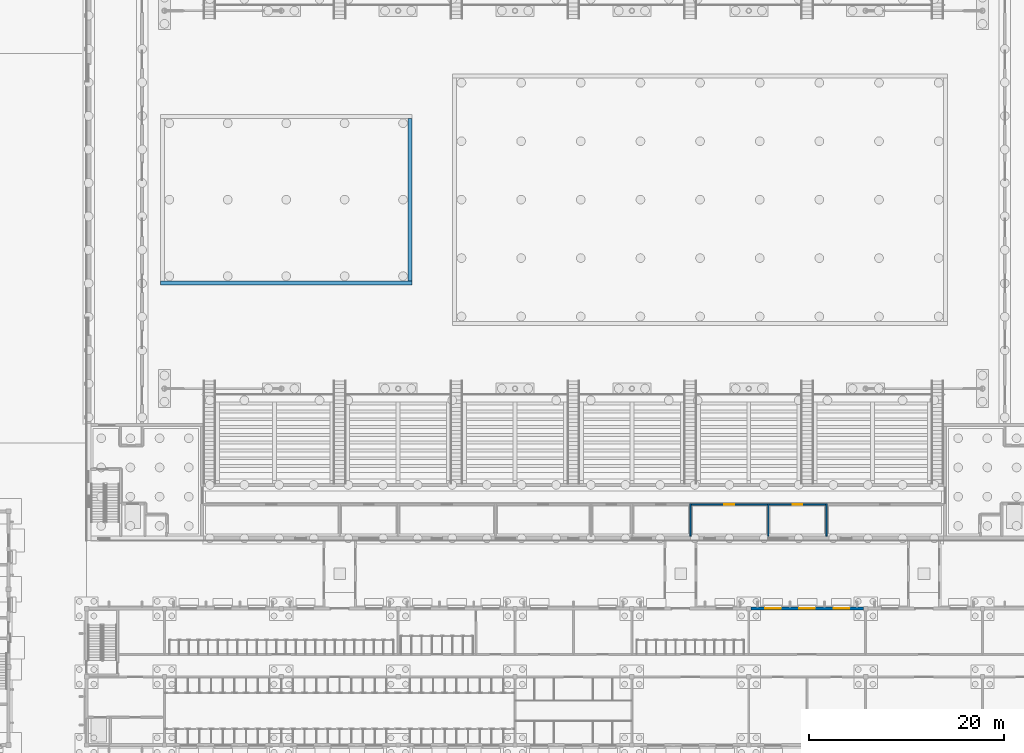
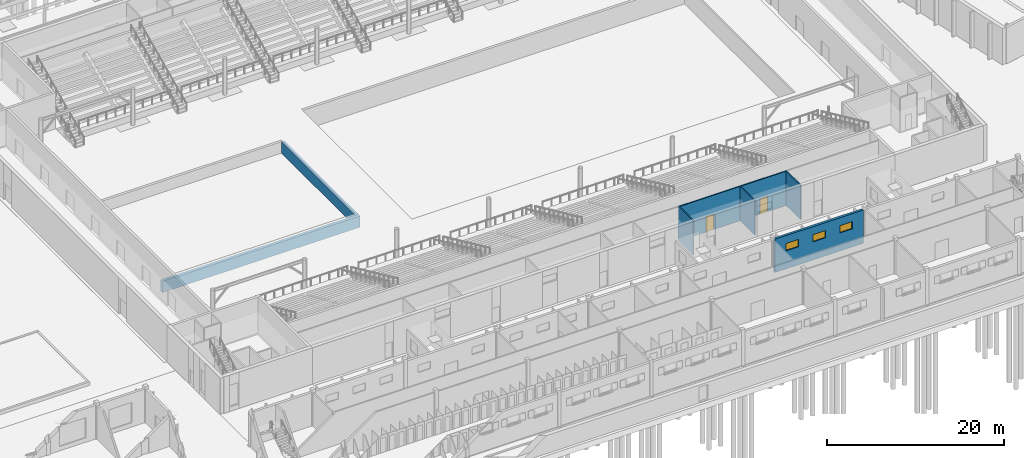
# One storey, part 90 of 157: 8 walls, 3 windows, 2 doors, 5 openings.
"""IFC4 building model written with IfcOpenShell, lengths in metres."""

import ifcopenshell
import ifcopenshell.guid

model = None  # the IFC model being written
_history = None  # IfcOwnerHistory: only IFC2X3 demands one
_inside = {}  # id of a spatial element -> (the spatial element, [elements in it])
_under = {}  # id of a project, library or spatial element -> (it, [spatial elements below it])
_declared = {}  # id of a project -> (the project, [libraries it declares])
_typed = {}  # id of a type object -> (the type object, [elements of that type])
_made_of = {}  # id of a material, layer set ... -> (it, [elements and type objects made of it])


def new_model(schema):
    """Start an empty IFC model of exactly this schema.

    Asked for "IFC4X3", IfcOpenShell would pick the latest addendum, in which some entities
    have other attributes; the version numbers below select the first issue.
    IFC2X3 requires an IfcOwnerHistory on every rooted entity: one is made here for all.
    """
    global model, _history
    if schema == "IFC4X3":
        model = ifcopenshell.file(schema_version=(4, 3, 0, 0))
    else:
        model = ifcopenshell.file(schema=schema)
    _inside.clear()
    _under.clear()
    _declared.clear()
    _typed.clear()
    _made_of.clear()
    _history = None
    if model.schema == "IFC2X3":
        org = make("IfcOrganization", Name="unknown")
        user = make(
            "IfcPersonAndOrganization",
            ThePerson=make("IfcPerson", FamilyName="unknown"),
            TheOrganization=org,
        )
        app = make(
            "IfcApplication",
            ApplicationDeveloper=org,
            Version="unknown",
            ApplicationFullName="unknown",
            ApplicationIdentifier="unknown",
        )
        _history = make(
            "IfcOwnerHistory",
            OwningUser=user,
            OwningApplication=app,
            ChangeAction="ADDED",
            CreationDate=0,
        )
    return model


def make(cls, **values):
    """One entity of the class cls with the attributes given. An attribute that is None is left unset."""
    return model.create_entity(
        cls, **{name: value for name, value in values.items() if value is not None}
    )


def rooted(cls, **values):
    """An entity with a GlobalId (a new one), such as an element, a storey or a relation."""
    return make(cls, GlobalId=ifcopenshell.guid.new(), OwnerHistory=_history, **values)


def si_unit(unit_type, name, prefix=None):
    """IfcSIUnit, for example si_unit("LENGTHUNIT", "METRE", prefix="MILLI")."""
    return make("IfcSIUnit", UnitType=unit_type, Prefix=prefix, Name=name)


def assignment(units):
    """IfcUnitAssignment: the units of a project."""
    return None if units is None else make("IfcUnitAssignment", Units=units)


def point(xyz):
    """IfcCartesianPoint."""
    return None if xyz is None else make("IfcCartesianPoint", Coordinates=xyz)


def direction(xyz):
    """IfcDirection."""
    return None if xyz is None else make("IfcDirection", DirectionRatios=xyz)


def frame(location, z_axis=None, x_axis=None):
    """IfcAxis2Placement3D, a coordinate frame: its origin and axes. An axis left out is left unset."""
    return make(
        "IfcAxis2Placement3D",
        Location=point(location),
        Axis=direction(z_axis),
        RefDirection=direction(x_axis),
    )


def frame_2d(location, x_axis=None):
    """IfcAxis2Placement2D, a coordinate frame in the plane: its origin and x axis."""
    return make(
        "IfcAxis2Placement2D", Location=point(location), RefDirection=direction(x_axis)
    )


def origin():
    """The frame at (0, 0, 0) with its axes left unset."""
    return frame((0.0, 0.0, 0.0))


def place(relative_to, where):
    """IfcLocalPlacement: puts the frame where relative to a parent placement (None: the world)."""
    return make(
        "IfcLocalPlacement", PlacementRelTo=relative_to, RelativePlacement=where
    )


def context(
    kind, dimensions, precision=None, world=None, true_north=None, identifier=None
):
    """IfcGeometricRepresentationContext, for example the 3D "Model" context."""
    return make(
        "IfcGeometricRepresentationContext",
        ContextIdentifier=identifier,
        ContextType=kind,
        CoordinateSpaceDimension=dimensions,
        Precision=precision,
        WorldCoordinateSystem=world,
        TrueNorth=true_north,
    )


def subcontext(parent, identifier, kind, view, scale=None):
    """IfcGeometricRepresentationSubContext, for example "Body" below "Model"."""
    return make(
        "IfcGeometricRepresentationSubContext",
        ContextIdentifier=identifier,
        ContextType=kind,
        ParentContext=parent,
        TargetScale=scale,
        TargetView=view,
    )


def project(units=None, contexts=None):
    """IfcProject with its units and contexts."""
    return rooted(
        "IfcProject",
        Name="project",
        RepresentationContexts=contexts,
        UnitsInContext=assignment(units),
    )


def spatial(cls, under=None, at=None, **own):
    """A site, building, storey or space (cls), placed at a placement, below another one or the project."""
    s = rooted(cls, ObjectPlacement=at, **own)
    if under is not None:
        _under.setdefault(under.id(), (under, []))[1].append(s)
    return s


def profile(cls, at=None, kind="AREA", **sizes):
    """A parametric profile (cls). Its sizes go by their IFC names, for example OverallWidth=200.0."""
    return make(cls, ProfileType=kind, Position=at, **sizes)


def rectangle(**sizes):
    """IfcRectangleProfileDef."""
    return profile("IfcRectangleProfileDef", **sizes)


def extrude(swept, where, along, depth):
    """IfcExtrudedAreaSolid: the profile swept, set in the frame where, extruded along a direction by depth."""
    return make(
        "IfcExtrudedAreaSolid",
        SweptArea=swept,
        Position=where,
        ExtrudedDirection=direction(along),
        Depth=depth,
    )


def shape(context_of_items, identifier, shape_type, items):
    """IfcShapeRepresentation: the items that make up one representation, for example the "Body"."""
    return make(
        "IfcShapeRepresentation",
        ContextOfItems=context_of_items,
        RepresentationIdentifier=identifier,
        RepresentationType=shape_type,
        Items=items,
    )


def material(Name=None, Category=None):
    """IfcMaterial."""
    return make("IfcMaterial", Name=Name, Category=Category)


def layer(
    of_material, thickness, ventilated=None, Name=None, Category=None, Priority=None
):
    """IfcMaterialLayer: one layer of a wall or slab, of a material (None: an air gap)."""
    return make(
        "IfcMaterialLayer",
        Material=of_material,
        LayerThickness=thickness,
        IsVentilated=ventilated,
        Name=Name,
        Category=Category,
        Priority=Priority,
    )


def layer_set(layers, Name=None):
    """IfcMaterialLayerSet."""
    return make("IfcMaterialLayerSet", MaterialLayers=layers, LayerSetName=Name)


def made_of(thing, what):
    """Note that an element or type object is made of a material, layer set ...; save() writes the relation."""
    if what is not None:
        _made_of.setdefault(what.id(), (what, []))[1].append(thing)
    return thing


def type_object(cls, material=None, **own):
    """A type object (cls), such as IfcWallType, which elements share."""
    return made_of(rooted(cls, **own), material)


def element(
    cls,
    number,
    at=None,
    inside=None,
    cuts=None,
    type_object=None,
    material=None,
    context=None,
    identifier="Body",
    shape_type=None,
    held_by="IfcProductDefinitionShape",
    body=None,
    shapes=None,
    **own,
):
    """One element of the class cls, such as IfcWall. Its Tag is "e" and its number.

    at: its placement. inside: the storey or other place that contains it. cuts: it is an
    opening in that element (IfcRelVoidsElement). A single representation is given by context,
    identifier, shape_type and body (its items); several are given by shapes. held_by: the class
    of the entity that holds the representations. save() writes the other relations.
    """
    e = rooted(cls, Tag="e%d" % number, ObjectPlacement=at, **own)
    if body is not None:
        shapes = [shape(context, identifier, shape_type, body)]
    if shapes is not None:
        e.Representation = make(held_by, Representations=shapes)
    if inside is not None:
        _inside.setdefault(inside.id(), (inside, []))[1].append(e)
    if cuts is not None:
        rooted(
            "IfcRelVoidsElement", RelatingBuildingElement=cuts, RelatedOpeningElement=e
        )
    if type_object is not None:
        _typed.setdefault(type_object.id(), (type_object, []))[1].append(e)
    return made_of(e, material)


def fill(opening, filler):
    """IfcRelFillsElement: the door or window that sits in an opening."""
    return rooted(
        "IfcRelFillsElement",
        RelatingOpeningElement=opening,
        RelatedBuildingElement=filler,
    )


def aggregate(whole, parts):
    """IfcRelAggregates: a whole, such as a stair, and the parts it consists of."""
    return rooted("IfcRelAggregates", RelatingObject=whole, RelatedObjects=parts)


def save(model, path):
    """Write the relations noted so far, then the file.

    IfcRelAggregates (storeys below a building ...), IfcRelContainedInSpatialStructure (elements
    in a storey), IfcRelDefinesByType, IfcRelAssociatesMaterial and IfcRelDeclares: one each for
    every whole, place, type object, material and project.
    """
    for whole, parts in _under.values():
        aggregate(whole, parts)
    for where, things in _inside.values():
        rooted(
            "IfcRelContainedInSpatialStructure",
            RelatedElements=things,
            RelatingStructure=where,
        )
    for kind, things in _typed.values():
        rooted("IfcRelDefinesByType", RelatedObjects=things, RelatingType=kind)
    for what, things in _made_of.values():
        rooted("IfcRelAssociatesMaterial", RelatedObjects=things, RelatingMaterial=what)
    for by, libraries in _declared.values():
        rooted("IfcRelDeclares", RelatingContext=by, RelatedDefinitions=libraries)
    model.write(path)


model = new_model("IFC4")

# Units and contexts
model_context = context("Model", 3, precision=1e-05, world=origin(), true_north=direction((0.0, 1.0)))
body_context = subcontext(model_context, "Body", "Model", "MODEL_VIEW")
ifc_project = project(units=[si_unit("LENGTHUNIT", "METRE"), si_unit("AREAUNIT", "SQUARE_METRE"), si_unit("VOLUMEUNIT", "CUBIC_METRE"), si_unit("PLANEANGLEUNIT", "RADIAN"), si_unit("MASSUNIT", "GRAM", prefix="KILO")], contexts=[model_context])

# Site, building, storey
site_placement = place(None, origin())
site = spatial("IfcSite", under=ifc_project, at=site_placement, CompositionType="ELEMENT")
building_placement = place(site_placement, origin())
building = spatial("IfcBuilding", under=site, at=building_placement, Name="Windward Yard Aquatics Centre", CompositionType="ELEMENT")
storey_placement = place(building_placement, origin())
storey = spatial("IfcBuildingStorey", under=building, at=storey_placement, Name="L00", CompositionType="ELEMENT", Elevation=0.0)

# Wall, openings, windows
ifc_material_1 = material(Name="Natural stone cladding", Category="masonry")
ifc_layer_1 = layer(ifc_material_1, 0.04, Name="Cladding")
ifc_material_2 = material(Name="Ventilated air cavity")
ifc_layer_2 = layer(ifc_material_2, 0.04, ventilated=True, Name="Ventilated cavity")
ifc_material_3 = material(Name="Mineral wool insulation")
ifc_layer_3 = layer(ifc_material_3, 0.06, Name="Insulation")
ifc_material_4 = material(Name="Concrete C35/45", Category="concrete")
ifc_layer_4 = layer(ifc_material_4, 0.16, Name="Structure")
ifc_layer_set_1 = layer_set([ifc_layer_1, ifc_layer_2, ifc_layer_3, ifc_layer_4], Name="C stone-faced external wall 300")
wall_type_1 = type_object("IfcWallType", Name="C stone-faced external wall 300", PredefinedType="ELEMENTEDWALL", material=ifc_layer_set_1)
wall_1_placement = place(storey_placement, frame((120.22509765625, 19.0, 0.0), z_axis=(0.0, 0.0, 1.0), x_axis=(1.0, 0.0, 0.0)))
wall_1 = element("IfcWall", 1, at=wall_1_placement, inside=storey, type_object=wall_type_1, Name="C.W.L00.N7", PredefinedType="ELEMENTEDWALL", context=body_context, shape_type="SweptSolid", body=[
    extrude(rectangle(XDim=11.5498046875, YDim=0.300048828125, at=frame_2d((5.77490234375, 0.0))), origin(), (0.0, 0.0, 1.0), 4.60009765625),
])
opening_1_placement = place(wall_1_placement, frame((1.458251953125, 0.0, 2.5)))
opening_1 = element("IfcOpeningElement", 2, at=opening_1_placement, cuts=wall_1, Name="Opening CW0033", PredefinedType="OPENING", context=body_context, shape_type="SweptSolid", body=[
    extrude(rectangle(XDim=1.60009765625, YDim=1.0, at=frame_2d((0.800048828125, 0.5))), frame((0.0, 0.16015625, 0.0), z_axis=(0.0, -1.0, 0.0), x_axis=(1.0, 0.0, 0.0)), (0.0, 0.0, 1.0), 0.320068359375),
])
opening_2_placement = place(wall_1_placement, frame((4.97509765625, 0.0, 2.5)))
opening_2 = element("IfcOpeningElement", 3, at=opening_2_placement, cuts=wall_1, Name="Opening CW0034", PredefinedType="OPENING", context=body_context, shape_type="SweptSolid", body=[
    extrude(rectangle(XDim=1.60009765625, YDim=1.0, at=frame_2d((0.800048828125, 0.5))), frame((0.0, 0.16015625, 0.0), z_axis=(0.0, -1.0, 0.0), x_axis=(1.0, 0.0, 0.0)), (0.0, 0.0, 1.0), 0.320068359375),
])
opening_3_placement = place(wall_1_placement, frame((8.49169921875, 0.0, 2.5)))
opening_3 = element("IfcOpeningElement", 4, at=opening_3_placement, cuts=wall_1, Name="Opening CW0035", PredefinedType="OPENING", context=body_context, shape_type="SweptSolid", body=[
    extrude(rectangle(XDim=1.60009765625, YDim=1.0, at=frame_2d((0.800048828125, 0.5))), frame((0.0, 0.16015625, 0.0), z_axis=(0.0, -1.0, 0.0), x_axis=(1.0, 0.0, 0.0)), (0.0, 0.0, 1.0), 0.320068359375),
])
ifc_material_5 = material(Name="Aluminium framed double glazing", Category="aluminium")
window_type = type_object("IfcWindowType", Name="C window 1600X1000", PartitioningType="SINGLE_PANEL", PredefinedType="WINDOW", material=ifc_material_5)
window_1_placement = place(opening_1_placement, origin())
window_1 = element("IfcWindow", 5, at=window_1_placement, inside=storey, type_object=window_type, Name="Window CW0033", OverallHeight=1.0, OverallWidth=1.60009765625, PartitioningType="SINGLE_PANEL", PredefinedType="WINDOW", context=body_context, shape_type="SweptSolid", body=[
    extrude(rectangle(XDim=1.60009765625, YDim=1.0, at=frame_2d((0.800048828125, 0.5))), frame((0.0, 0.030029296875, 0.0), z_axis=(0.0, -1.0, 0.0), x_axis=(1.0, 0.0, 0.0)), (0.0, 0.0, 1.0), 0.06005859375),
])
fill(opening_1, window_1)
window_2_placement = place(opening_2_placement, origin())
window_2 = element("IfcWindow", 6, at=window_2_placement, inside=storey, type_object=window_type, Name="Window CW0034", OverallHeight=1.0, OverallWidth=1.60009765625, PartitioningType="SINGLE_PANEL", PredefinedType="WINDOW", context=body_context, shape_type="SweptSolid", body=[
    extrude(rectangle(XDim=1.60009765625, YDim=1.0, at=frame_2d((0.800048828125, 0.5))), frame((0.0, 0.030029296875, 0.0), z_axis=(0.0, -1.0, 0.0), x_axis=(1.0, 0.0, 0.0)), (0.0, 0.0, 1.0), 0.06005859375),
])
fill(opening_2, window_2)
window_3_placement = place(opening_3_placement, origin())
window_3 = element("IfcWindow", 7, at=window_3_placement, inside=storey, type_object=window_type, Name="Window CW0035", OverallHeight=1.0, OverallWidth=1.60009765625, PartitioningType="SINGLE_PANEL", PredefinedType="WINDOW", context=body_context, shape_type="SweptSolid", body=[
    extrude(rectangle(XDim=1.60009765625, YDim=1.0, at=frame_2d((0.800048828125, 0.5))), frame((0.0, 0.030029296875, 0.0), z_axis=(0.0, -1.0, 0.0), x_axis=(1.0, 0.0, 0.0)), (0.0, 0.0, 1.0), 0.06005859375),
])
fill(opening_3, window_3)

# Wall
ifc_material_6 = material(Name="Blockwork 150 mm", Category="masonry")
ifc_layer_5 = layer(ifc_material_6, 0.14990234375)
ifc_layer_set_2 = layer_set([ifc_layer_5], Name="H Partition Blockwork 150")
wall_type_2 = type_object("IfcWallType", Name="H Partition Blockwork 150", PredefinedType="PARTITIONING", material=ifc_layer_set_2)
wall_2_placement = place(storey_placement, frame((114.0, 26.449951171875, 0.0), z_axis=(0.0, 0.0, 1.0), x_axis=(0.0, 1.0, 0.0)))
element("IfcWall", 8, at=wall_2_placement, inside=storey, type_object=wall_type_2, Name="L00 partition Doping Control Office", PredefinedType="PARTITIONING", context=body_context, shape_type="SweptSolid", body=[
    extrude(rectangle(XDim=3.344970703125, YDim=0.14990234375, at=frame_2d((1.67236328125, 0.0))), origin(), (0.0, 0.0, 1.0), 4.75),
])

# Wall, opening, door
wall_3_placement = place(storey_placement, frame((114.074951171875, 29.719970703125, 0.0), z_axis=(0.0, 0.0, 1.0), x_axis=(1.0, 0.0, 0.0)))
wall_3 = element("IfcWall", 9, at=wall_3_placement, inside=storey, type_object=wall_type_2, Name="L00 partition Equipment Store", PredefinedType="PARTITIONING", context=body_context, shape_type="SweptSolid", body=[
    extrude(rectangle(XDim=7.85009765625, YDim=0.14990234375, at=frame_2d((3.925048828125, 0.0))), origin(), (0.0, 0.0, 1.0), 4.75),
])
opening_4_placement = place(wall_3_placement, frame((3.425048828125, 0.0, 0.0)))
opening_4 = element("IfcOpeningElement", 10, at=opening_4_placement, cuts=wall_3, Name="Opening H0035", PredefinedType="OPENING", context=body_context, shape_type="SweptSolid", body=[
    extrude(rectangle(XDim=1.0, YDim=2.10009765625, at=frame_2d((0.5, 1.050048828125))), frame((0.0, 0.0849609375, 0.0), z_axis=(0.0, -1.0, 0.0), x_axis=(1.0, 0.0, 0.0)), (0.0, 0.0, 1.0), 0.169921875),
])
ifc_material_7 = material(Name="Steel and timber door leaf", Category="steel")
door_type = type_object("IfcDoorType", Name="H Door Single 1000 x 2100 FD30S", OperationType="NOTDEFINED", PredefinedType="DOOR", material=ifc_material_7)
door_1_placement = place(opening_4_placement, origin())
door_1 = element("IfcDoor", 11, at=door_1_placement, inside=storey, type_object=door_type, Name="L00 Equipment Store door", OperationType="SINGLE_SWING_RIGHT", OverallHeight=2.10009765625, OverallWidth=1.0, PredefinedType="DOOR", context=body_context, shape_type="SweptSolid", body=[
    extrude(rectangle(XDim=1.0, YDim=2.10009765625, at=frame_2d((0.5, 1.050048828125))), frame((0.0, 0.02490234375, 0.0), z_axis=(0.0, -1.0, 0.0), x_axis=(1.0, 0.0, 0.0)), (0.0, 0.0, 1.0), 0.050048828125),
])
fill(opening_4, door_1)

# Wall
wall_4_placement = place(storey_placement, frame((122.0, 26.449951171875, 0.0), z_axis=(0.0, 0.0, 1.0), x_axis=(0.0, 1.0, 0.0)))
element("IfcWall", 12, at=wall_4_placement, inside=storey, type_object=wall_type_2, Name="L00 partition Equipment Store", PredefinedType="PARTITIONING", context=body_context, shape_type="SweptSolid", body=[
    extrude(rectangle(XDim=3.344970703125, YDim=0.14990234375, at=frame_2d((1.67236328125, 0.0))), origin(), (0.0, 0.0, 1.0), 4.75),
])

# Wall, opening, door
wall_5_placement = place(storey_placement, frame((122.074951171875, 29.719970703125, 0.0), z_axis=(0.0, 0.0, 1.0), x_axis=(1.0, 0.0, 0.0)))
wall_5 = element("IfcWall", 13, at=wall_5_placement, inside=storey, type_object=wall_type_2, Name="L00 partition Lifeguard Office", PredefinedType="PARTITIONING", context=body_context, shape_type="SweptSolid", body=[
    extrude(rectangle(XDim=5.85009765625, YDim=0.14990234375, at=frame_2d((2.925048828125, 0.0))), origin(), (0.0, 0.0, 1.0), 4.75),
])
opening_5_placement = place(wall_5_placement, frame((2.425048828125, 0.0, 0.0)))
opening_5 = element("IfcOpeningElement", 14, at=opening_5_placement, cuts=wall_5, Name="Opening H0036", PredefinedType="OPENING", context=body_context, shape_type="SweptSolid", body=[
    extrude(rectangle(XDim=1.0, YDim=2.10009765625, at=frame_2d((0.5, 1.050048828125))), frame((0.0, 0.0849609375, 0.0), z_axis=(0.0, -1.0, 0.0), x_axis=(1.0, 0.0, 0.0)), (0.0, 0.0, 1.0), 0.169921875),
])
door_2_placement = place(opening_5_placement, origin())
door_2 = element("IfcDoor", 15, at=door_2_placement, inside=storey, type_object=door_type, Name="L00 Lifeguard Office door", OperationType="SINGLE_SWING_LEFT", OverallHeight=2.10009765625, OverallWidth=1.0, PredefinedType="DOOR", context=body_context, shape_type="SweptSolid", body=[
    extrude(rectangle(XDim=1.0, YDim=2.10009765625, at=frame_2d((0.5, 1.050048828125))), frame((0.0, 0.02490234375, 0.0), z_axis=(0.0, -1.0, 0.0), x_axis=(1.0, 0.0, 0.0)), (0.0, 0.0, 1.0), 0.050048828125),
])
fill(opening_5, door_2)

# Walls
wall_6_placement = place(storey_placement, frame((128.0, 26.449951171875, 0.0), z_axis=(0.0, 0.0, 1.0), x_axis=(0.0, 1.0, 0.0)))
element("IfcWall", 16, at=wall_6_placement, inside=storey, type_object=wall_type_2, Name="L00 partition Lifeguard Office", PredefinedType="PARTITIONING", context=body_context, shape_type="SweptSolid", body=[
    extrude(rectangle(XDim=3.344970703125, YDim=0.14990234375, at=frame_2d((1.67236328125, 0.0))), origin(), (0.0, 0.0, 1.0), 4.75),
])
ifc_material_8 = material(Name="Ceramic tile in waterproof adhesive")
ifc_layer_6 = layer(ifc_material_8, 0.02, Name="Tile lining")
ifc_material_9 = material(Name="Cementitious waterproofing membrane")
ifc_layer_7 = layer(ifc_material_9, 0.005, Name="Waterproofing")
ifc_material_10 = material(Name="Concrete C40/50", Category="concrete")
ifc_layer_8 = layer(ifc_material_10, 0.375, Name="Structure")
ifc_layer_set_3 = layer_set([ifc_layer_6, ifc_layer_7, ifc_layer_8], Name="H tank wall 400 C40/50")
wall_type_3 = type_object("IfcWallType", Name="H tank wall 400 C40/50", PredefinedType="SOLIDWALL", material=ifc_layer_set_3)
wall_7_placement = place(storey_placement, frame((59.60009765625, 52.449951171875, -1.800048828125), z_axis=(0.0, 0.0, 1.0), x_axis=(1.0, 0.0, 0.0)))
element("IfcWall", 17, at=wall_7_placement, inside=storey, type_object=wall_type_3, Name="H.TK.T.S", PredefinedType="SOLIDWALL", context=body_context, shape_type="SweptSolid", body=[
    extrude(rectangle(XDim=25.7998046875, YDim=0.39990234375, at=frame_2d((12.89990234375, 0.0))), origin(), (0.0, 0.0, 1.0), 1.550048828125),
])
wall_8_placement = place(storey_placement, frame((85.199951171875, 52.64990234375, -1.800048828125), z_axis=(0.0, 0.0, 1.0), x_axis=(0.0, 1.0, 0.0)))
element("IfcWall", 18, at=wall_8_placement, inside=storey, type_object=wall_type_3, Name="H.TK.T.E", PredefinedType="SOLIDWALL", context=body_context, shape_type="SweptSolid", body=[
    extrude(rectangle(XDim=16.7001953125, YDim=0.39990234375, at=frame_2d((8.35009765625, 0.0))), origin(), (0.0, 0.0, 1.0), 1.550048828125),
])

save(model, "model.ifc")
